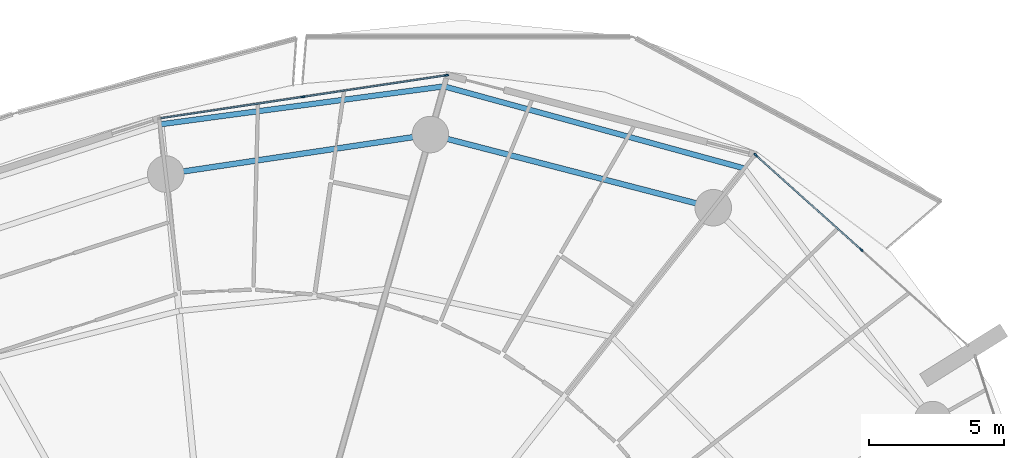
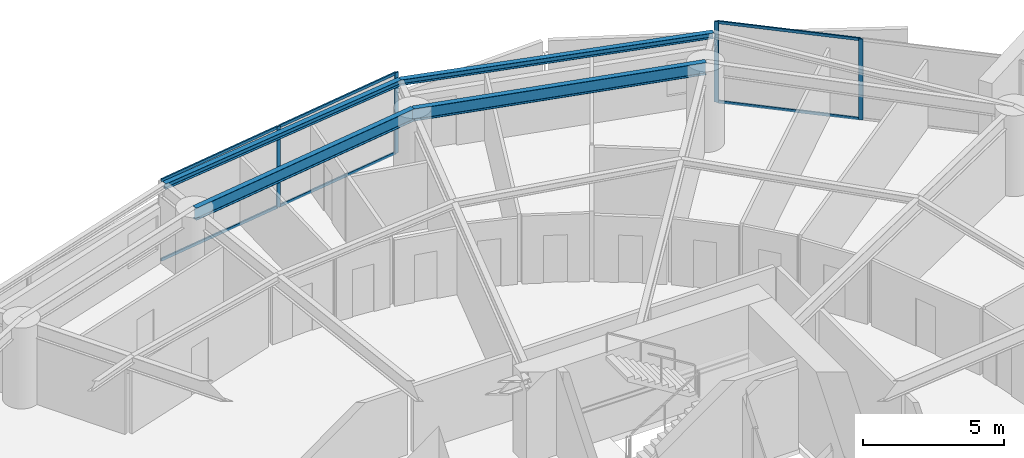
# One storey, part 16 of 31: 10 members, 4 beams, 2 elements without a shape of their own.
"""IFC4 building model written with IfcOpenShell, lengths in metres."""

from ifc_helpers import new_model, si_unit, direction, frame, origin, origin_2d, place, context, subcontext, project, spatial, rectangle, i_section, extrude, material, layer, layer_set, material_profile, profile_set, type_object, element, aggregate, save


model = new_model("IFC4")

# Units and contexts
model_context = context("Model", 3, precision=1e-05, world=origin(), true_north=direction((0.0, 1.0)))
body_context = subcontext(model_context, "Body", "Model", "MODEL_VIEW")
ifc_project = project(units=[si_unit("LENGTHUNIT", "METRE"), si_unit("AREAUNIT", "SQUARE_METRE"), si_unit("VOLUMEUNIT", "CUBIC_METRE"), si_unit("PLANEANGLEUNIT", "RADIAN"), si_unit("MASSUNIT", "GRAM", prefix="KILO")], contexts=[model_context])

# Site, building, storey
site_placement = place(None, origin())
site = spatial("IfcSite", under=ifc_project, at=site_placement, CompositionType="ELEMENT")
building_placement = place(site_placement, origin())
building = spatial("IfcBuilding", under=site, at=building_placement, Name="Kazma Halo Residences", CompositionType="ELEMENT")
storey_placement = place(building_placement, frame((0.0, 0.0, 45.14990234375)))
storey = spatial("IfcBuildingStorey", under=building, at=storey_placement, Name="L10", CompositionType="ELEMENT", Elevation=45.14990234375)

# Beams
ifc_material_1 = material(Name="Steel S355", Category="steel")
ifc_material_profile_1 = material_profile(ifc_material_1, i_section(OverallWidth=0.201904296875, OverallDepth=0.2470703125, WebThickness=0.00732421875, FlangeThickness=0.010986328125, FilletRadius=0.011962890625, at=origin_2d()), Name="W250x49.1")
ifc_profile_set_1 = profile_set([ifc_material_profile_1], Name="Steel S355")
beam_type_1 = type_object("IfcBeamType", Name="BM-BAL-CANT", PredefinedType="BEAM", material=ifc_profile_set_1)
beam_1_placement = place(storey_placement, frame((66.603515625, 65.598388671875, 3.376708984375), z_axis=(-0.964628474934, 0.263613173697, 0.0), x_axis=(-0.263613173697, -0.964628474934, 0.0)))
element("IfcBeam", 1, at=beam_1_placement, inside=storey, type_object=beam_type_1, Name="L10 wave-balcony tie beam 02", PredefinedType="BEAM", context=body_context, shape_type="SweptSolid", body=[
    extrude(i_section(OverallWidth=0.201904296875, OverallDepth=0.2470703125, WebThickness=0.00732421875, FlangeThickness=0.010986328125, FilletRadius=0.011962890625, at=origin_2d()), origin(), (0.0, 0.0, 1.0), 11.499755859375),
])
beam_2_placement = place(storey_placement, frame((55.510498046875, 68.6298828125, 3.376708984375), z_axis=(-0.991168183526, -0.13261082899, 0.0), x_axis=(0.13261082899, -0.991168183526, 0.0)))
element("IfcBeam", 2, at=beam_2_placement, inside=storey, type_object=beam_type_1, Name="L10 wave-balcony tie beam 03", PredefinedType="BEAM", context=body_context, shape_type="SweptSolid", body=[
    extrude(i_section(OverallWidth=0.201904296875, OverallDepth=0.2470703125, WebThickness=0.00732421875, FlangeThickness=0.010986328125, FilletRadius=0.011962890625, at=origin_2d()), origin(), (0.0, 0.0, 1.0), 10.551025390625),
])
ifc_material_profile_2 = material_profile(ifc_material_1, i_section(OverallWidth=0.208984375, OverallDepth=0.532958984375, WebThickness=0.01025390625, FlangeThickness=0.015625, FilletRadius=0.01611328125, at=origin_2d()), Name="W530x92")
ifc_profile_set_2 = profile_set([ifc_material_profile_2], Name="Steel S355")
beam_type_2 = type_object("IfcBeamType", Name="BM-SPN-W530", PredefinedType="BEAM", material=ifc_profile_set_2)
beam_3_placement = place(storey_placement, frame((65.458251953125, 64.145751953125, 3.233642578125), z_axis=(-0.968123558238, 0.250473104313, 0.0), x_axis=(-0.250473104313, -0.968123558238, 0.0)))
element("IfcBeam", 3, at=beam_3_placement, inside=storey, type_object=beam_type_2, Name="L10 perimeter ring beam 02", PredefinedType="BEAM", context=body_context, shape_type="SweptSolid", body=[
    extrude(i_section(OverallWidth=0.208984375, OverallDepth=0.532958984375, WebThickness=0.01025390625, FlangeThickness=0.015625, FilletRadius=0.01611328125, at=origin_2d()), origin(), (0.0, 0.0, 1.0), 10.7939453125),
])
beam_4_placement = place(storey_placement, frame((55.00830078125, 66.849365234375, 3.233642578125), z_axis=(-0.989033061974, -0.147694286693, 0.0), x_axis=(0.147694286693, -0.989033061974, 0.0)))
element("IfcBeam", 4, at=beam_4_placement, inside=storey, type_object=beam_type_2, Name="L10 perimeter ring beam 03", PredefinedType="BEAM", context=body_context, shape_type="SweptSolid", body=[
    extrude(i_section(OverallWidth=0.208984375, OverallDepth=0.532958984375, WebThickness=0.01025390625, FlangeThickness=0.015625, FilletRadius=0.01611328125, at=origin_2d()), origin(), (0.0, 0.0, 1.0), 9.885009765625),
])

# Curtain wall, members
ifc_material_2 = material(Name="Aluminium AW-6063 T6 and Triple-Silver Low-E Glass", Category="aluminium")
ifc_layer = layer(ifc_material_2, 0.159912109375)
ifc_layer_set = layer_set([ifc_layer], Name="Aluminium AW-6063 T6 and Triple-Silver Low-E Glass")
curtain_wall_type = type_object("IfcCurtainWallType", Name="CW-SYS-2", PredefinedType="NOTDEFINED", material=ifc_layer_set)
curtain_wall_1_placement = place(storey_placement, origin())
curtain_wall_1 = element("IfcCurtainWall", 5, at=curtain_wall_1_placement, inside=storey, type_object=curtain_wall_type, Name="L10 unitised curtain wall B01", PredefinedType="NOTDEFINED")
ifc_material_3 = material(Name="Aluminium AW-6063 T6", Category="aluminium")
ifc_material_profile_3 = material_profile(ifc_material_3, rectangle(XDim=0.06005859375, YDim=0.159912109375, at=origin_2d()), Name="CWM-60x160")
ifc_profile_set_3 = profile_set([ifc_material_profile_3], Name="Aluminium AW-6063 T6")
member_type_1 = type_object("IfcMemberType", Name="CW-SYS-2-MUL", PredefinedType="MULLION", material=ifc_profile_set_3)
member_1_placement = place(storey_placement, frame((70.92724609375, 62.590087890625, 0.0), z_axis=(0.0, 0.0, 1.0), x_axis=(-0.667821453854, -0.744321506993, 0.0)))
member_1 = element("IfcMember", 6, at=member_1_placement, type_object=member_type_1, Name="CWS-2 mullion 2", PredefinedType="MULLION", context=body_context, shape_type="SweptSolid", body=[
    extrude(rectangle(XDim=0.06005859375, YDim=0.159912109375, at=origin_2d()), origin(), (0.0, 0.0, 1.0), 3.5),
])
member_2_placement = place(storey_placement, frame((67.028076171875, 66.088623046875, 0.0), z_axis=(0.0, 0.0, 1.0), x_axis=(-0.667821453854, -0.744321506993, 0.0)))
member_2 = element("IfcMember", 7, at=member_2_placement, type_object=member_type_1, Name="CWS-2 mullion 3", PredefinedType="MULLION", context=body_context, shape_type="SweptSolid", body=[
    extrude(rectangle(XDim=0.06005859375, YDim=0.159912109375, at=origin_2d()), origin(), (0.0, 0.0, 1.0), 3.5),
])

curtain_wall_2_placement = place(storey_placement, origin())
curtain_wall_2 = element("IfcCurtainWall", 8, at=curtain_wall_2_placement, inside=storey, type_object=curtain_wall_type, Name="L10 unitised curtain wall B03", PredefinedType="NOTDEFINED")
member_3_placement = place(storey_placement, frame((55.596923828125, 69.037841796875, 0.0), z_axis=(0.0, 0.0, 1.0), x_axis=(0.148657272805, -0.988888777994, 0.0)))
member_3 = element("IfcMember", 9, at=member_3_placement, type_object=member_type_1, Name="CWS-2 mullion 1", PredefinedType="MULLION", context=body_context, shape_type="SweptSolid", body=[
    extrude(rectangle(XDim=0.06005859375, YDim=0.159912109375, at=origin_2d()), origin(), (0.0, 0.0, 1.0), 3.5),
])
member_4_placement = place(storey_placement, frame((50.3076171875, 68.24267578125, 0.0), z_axis=(0.0, 0.0, 1.0), x_axis=(0.148657272805, -0.988888777994, 0.0)))
member_4 = element("IfcMember", 10, at=member_4_placement, type_object=member_type_1, Name="CWS-2 mullion 2", PredefinedType="MULLION", context=body_context, shape_type="SweptSolid", body=[
    extrude(rectangle(XDim=0.06005859375, YDim=0.159912109375, at=origin_2d()), origin(), (0.0, 0.0, 1.0), 3.5),
])

# Member
ifc_material_profile_4 = material_profile(ifc_material_3, rectangle(XDim=0.06005859375, YDim=0.1201171875, at=origin_2d()), Name="CWT-60x120")
ifc_profile_set_4 = profile_set([ifc_material_profile_4], Name="Aluminium AW-6063 T6")
member_type_2 = type_object("IfcMemberType", Name="CW-SYS-2-TRN", PredefinedType="USERDEFINED", material=ifc_profile_set_4)
member_5_placement = place(storey_placement, frame((70.905029296875, 62.6103515625, 0.030029296875), z_axis=(-0.744329408538, 0.66781264707, 0.0), x_axis=(-0.66781264707, -0.744329408538, 0.0)))
member_5 = element("IfcMember", 11, at=member_5_placement, type_object=member_type_2, Name="CWS-2 transom 2.1", ObjectType="TRANSOM", PredefinedType="USERDEFINED", context=body_context, shape_type="SweptSolid", body=[
    extrude(rectangle(XDim=0.06005859375, YDim=0.1201171875, at=origin_2d()), origin(), (0.0, 0.0, 1.0), 5.178466796875),
])

member_6_placement = place(storey_placement, frame((70.905029296875, 62.6103515625, 3.47021484375), z_axis=(-0.744329408538, 0.66781264707, 0.0), x_axis=(-0.66781264707, -0.744329408538, 0.0)))
member_6 = element("IfcMember", 12, at=member_6_placement, type_object=member_type_2, Name="CWS-2 transom 2.2", ObjectType="TRANSOM", PredefinedType="USERDEFINED", context=body_context, shape_type="SweptSolid", body=[
    extrude(rectangle(XDim=0.06005859375, YDim=0.1201171875, at=origin_2d()), origin(), (0.0, 0.0, 1.0), 5.178466796875),
])

aggregate(curtain_wall_1, [member_1, member_2, member_5, member_6])

member_7_placement = place(storey_placement, frame((55.5673828125, 69.033203125, 0.030029296875), z_axis=(-0.988890934274, -0.148642928222, 0.0), x_axis=(0.148642928222, -0.988890934274, 0.0)))
member_7 = element("IfcMember", 13, at=member_7_placement, type_object=member_type_2, Name="CWS-2 transom 1.1", ObjectType="TRANSOM", PredefinedType="USERDEFINED", context=body_context, shape_type="SweptSolid", body=[
    extrude(rectangle(XDim=0.06005859375, YDim=0.1201171875, at=origin_2d()), origin(), (0.0, 0.0, 1.0), 5.288818359375),
])

member_8_placement = place(storey_placement, frame((55.5673828125, 69.033203125, 3.47021484375), z_axis=(-0.988890934274, -0.148642928222, 0.0), x_axis=(0.148642928222, -0.988890934274, 0.0)))
member_8 = element("IfcMember", 14, at=member_8_placement, type_object=member_type_2, Name="CWS-2 transom 1.2", ObjectType="TRANSOM", PredefinedType="USERDEFINED", context=body_context, shape_type="SweptSolid", body=[
    extrude(rectangle(XDim=0.06005859375, YDim=0.1201171875, at=origin_2d()), origin(), (0.0, 0.0, 1.0), 5.288818359375),
])

member_9_placement = place(storey_placement, frame((50.278076171875, 68.238037109375, 0.030029296875), z_axis=(-0.98889195415, -0.148636143041, 0.0), x_axis=(0.148636143041, -0.98889195415, 0.0)))
member_9 = element("IfcMember", 15, at=member_9_placement, type_object=member_type_2, Name="CWS-2 transom 2.1", ObjectType="TRANSOM", PredefinedType="USERDEFINED", context=body_context, shape_type="SweptSolid", body=[
    extrude(rectangle(XDim=0.06005859375, YDim=0.1201171875, at=origin_2d()), origin(), (0.0, 0.0, 1.0), 5.2890625),
])

member_10_placement = place(storey_placement, frame((50.278076171875, 68.238037109375, 3.47021484375), z_axis=(-0.98889195415, -0.148636143041, 0.0), x_axis=(0.148636143041, -0.98889195415, 0.0)))
member_10 = element("IfcMember", 16, at=member_10_placement, type_object=member_type_2, Name="CWS-2 transom 2.2", ObjectType="TRANSOM", PredefinedType="USERDEFINED", context=body_context, shape_type="SweptSolid", body=[
    extrude(rectangle(XDim=0.06005859375, YDim=0.1201171875, at=origin_2d()), origin(), (0.0, 0.0, 1.0), 5.2890625),
])

aggregate(curtain_wall_2, [member_3, member_4, member_7, member_8, member_9, member_10])

save(model, "model.ifc")
